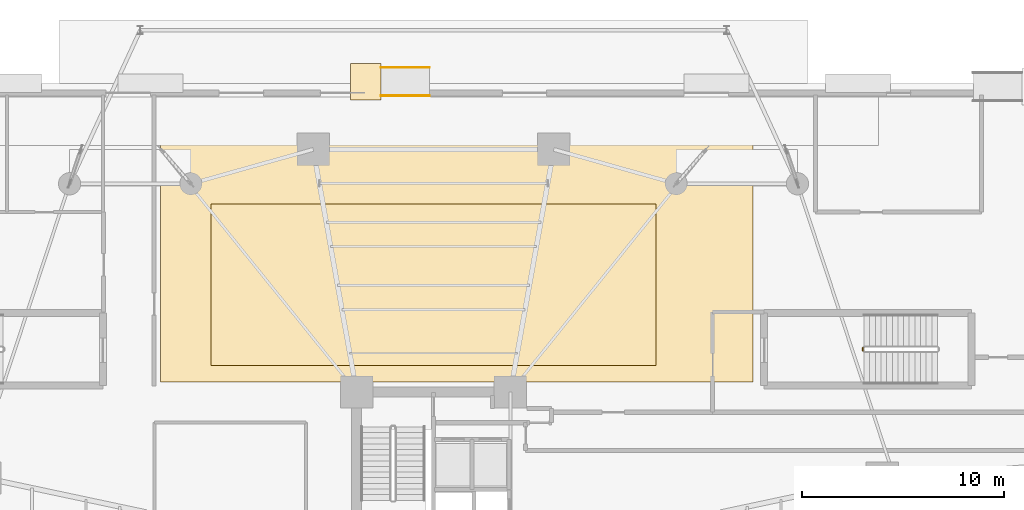
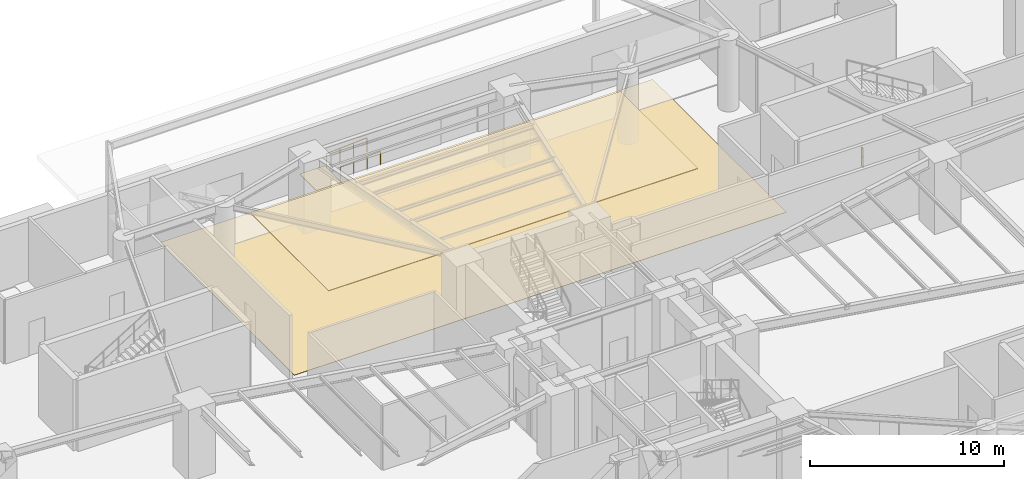
# One storey, part 26 of 31: 3 coverings, 3 railings.
"""IFC4 building model written with IfcOpenShell, lengths in metres."""

from ifc_helpers import new_model, si_unit, direction, frame, origin, origin_2d, place, context, subcontext, project, spatial, polyline, circle, outline, extrude, material, layer, layer_set, type_object, element, save


model = new_model("IFC4")

# Units and contexts
model_context = context("Model", 3, precision=1e-05, world=origin(), true_north=direction((0.0, 1.0)))
body_context = subcontext(model_context, "Body", "Model", "MODEL_VIEW")
ifc_project = project(units=[si_unit("LENGTHUNIT", "METRE"), si_unit("AREAUNIT", "SQUARE_METRE"), si_unit("VOLUMEUNIT", "CUBIC_METRE"), si_unit("PLANEANGLEUNIT", "RADIAN"), si_unit("MASSUNIT", "GRAM", prefix="KILO")], contexts=[model_context])

# Site, building, storey
site_placement = place(None, origin())
site = spatial("IfcSite", under=ifc_project, at=site_placement, CompositionType="ELEMENT")
building_placement = place(site_placement, origin())
building = spatial("IfcBuilding", under=site, at=building_placement, Name="Sahyath Konkavel Grand Hotel", CompositionType="ELEMENT")
storey_placement = place(building_placement, origin())
storey = spatial("IfcBuildingStorey", under=building, at=storey_placement, Name="L00", CompositionType="ELEMENT", Elevation=0.0)

# Coverings
ifc_material_1 = material(Name="Perforated Acoustic Gypsum and Teak Baffle Ceiling")
ifc_layer_1 = layer(ifc_material_1, 0.044921875)
ifc_layer_set_1 = layer_set([ifc_layer_1], Name="Perforated Acoustic Gypsum and Teak Baffle Ceiling")
covering_type_1 = type_object("IfcCoveringType", Name="COV-ACOUSTIC-CLG", PredefinedType="CEILING", material=ifc_layer_set_1)
covering_1_placement = place(storey_placement, frame((0.0, 0.0, 3.929931640625)))
element("IfcCovering", 1, at=covering_1_placement, inside=storey, type_object=covering_type_1, Name="L00 Grand Lobby Acoustic Coffered Ceiling", PredefinedType="CEILING", context=body_context, shape_type="SweptSolid", body=[
    extrude(outline(polyline([(-11.0, 11.5), (11.0, 11.5), (11.0, 19.5), (-11.0, 19.5), (-11.0, 11.5)])), origin(), (0.0, 0.0, 1.0), 0.050048828125),
])
ifc_material_2 = material(Name="Honed Deccan Basalt and Warm Sandstone Flooring", Category="masonry")
ifc_layer_2 = layer(ifc_material_2, 0.02001953125)
ifc_layer_set_2 = layer_set([ifc_layer_2], Name="Honed Deccan Basalt and Warm Sandstone Flooring")
covering_type_2 = type_object("IfcCoveringType", Name="COV-STONE-FLR", PredefinedType="FLOORING", material=ifc_layer_set_2)
covering_2_placement = place(storey_placement, frame((0.0, 0.0, -0.169921875)))
element("IfcCovering", 2, at=covering_2_placement, inside=storey, type_object=covering_type_2, Name="L00 Street Walkway Landing PR-5", PredefinedType="FLOORING", context=body_context, shape_type="SweptSolid", body=[
    extrude(outline(polyline([(-4.10009765625, 24.64990234375), (-2.60009765625, 24.64990234375), (-2.60009765625, 26.449951171875), (-4.10009765625, 26.449951171875), (-4.10009765625, 24.64990234375)])), origin(), (0.0, 0.0, 1.0), 0.02001953125),
])
covering_3_placement = place(storey_placement, origin())
element("IfcCovering", 3, at=covering_3_placement, inside=storey, type_object=covering_type_2, Name="L00 Grand Lobby Honed Stone Flooring", PredefinedType="FLOORING", context=body_context, shape_type="SweptSolid", body=[
    extrude(outline(polyline([(-13.5, 10.699951171875), (15.800048828125, 10.699951171875), (15.800048828125, 24.5), (-13.5, 24.5), (-13.5, 10.699951171875)])), origin(), (0.0, 0.0, 1.0), 0.02001953125),
])

# Railings
ifc_material_3 = material(Name="Steel E350", Category="steel")
railing_type_1 = type_object("IfcRailingType", Name="RLG-STAIR-GRD", PredefinedType="GUARDRAIL", material=ifc_material_3)
railing_placement = place(storey_placement, frame((21.239990234375, 12.22998046875, 0.0)))
element("IfcRailing", 4, at=railing_placement, inside=storey, type_object=railing_type_1, Name="L00 ST-P2 stair guard 4", PredefinedType="GUARDRAIL", context=body_context, shape_type="SweptSolid", body=[
    extrude(circle(Radius=0.02392578125, at=origin_2d()), frame((0.0, 0.001953125, 1.17578125), z_axis=(0.0, 1.0, 0.0), x_axis=(-1.0, 0.0, 0.0)), (0.0, 0.0, 1.0), 0.156005859375),
    extrude(circle(Radius=0.01416015625, at=origin_2d()), frame((0.0, 0.001953125, 0.6240234375), z_axis=(0.0, 1.0, 0.0), x_axis=(-1.0, 0.0, 0.0)), (0.0, 0.0, 1.0), 0.156005859375),
    extrude(circle(Radius=0.02099609375, at=origin_2d()), origin(), (0.0, 0.0, 1.0), 1.15185546875),
    extrude(circle(Radius=0.02099609375, at=origin_2d()), frame((0.0, 0.159912109375, 0.0)), (0.0, 0.0, 1.0), 1.15185546875),
])
ifc_material_4 = material(Name="Anodised Bronze Aluminium", Category="aluminium")
railing_type_2 = type_object("IfcRailingType", Name="RLG-STAIR-HND", PredefinedType="HANDRAIL", material=ifc_material_4)
for number, where, name in (
    (5, (-2.60009765625, 26.25, -0.14990234375), "Accessible Ramp Handrail PR-5-L"),
    (6, (-2.60009765625, 24.85009765625, -0.14990234375), "Accessible Ramp Handrail PR-5-R"),
):
    element("IfcRailing", number, at=place(storey_placement, frame(where)), inside=storey, type_object=railing_type_2, Name=name, PredefinedType="HANDRAIL", context=body_context, shape_type="SweptSolid", body=[
        extrude(circle(Radius=0.02392578125, at=origin_2d()), frame((0.001953125, 0.0, 0.8759765625), z_axis=(0.998055342672, 0.0, 0.062334043373), x_axis=(0.0, 1.0, 0.0)), (0.0, 0.0, 1.0), 2.40087890625),
        extrude(circle(Radius=0.02099609375, at=origin_2d()), origin(), (0.0, 0.0, 1.0), 0.851806640625),
        extrude(circle(Radius=0.02099609375, at=origin_2d()), frame((0.800048828125, 0.0, 0.050048828125)), (0.0, 0.0, 1.0), 0.851806640625),
        extrude(circle(Radius=0.02099609375, at=origin_2d()), frame((1.60009765625, 0.0, 0.099853515625)), (0.0, 0.0, 1.0), 0.851806640625),
        extrude(circle(Radius=0.02099609375, at=origin_2d()), frame((2.400146484375, 0.0, 0.14990234375)), (0.0, 0.0, 1.0), 0.851806640625),
    ])

save(model, "model.ifc")
